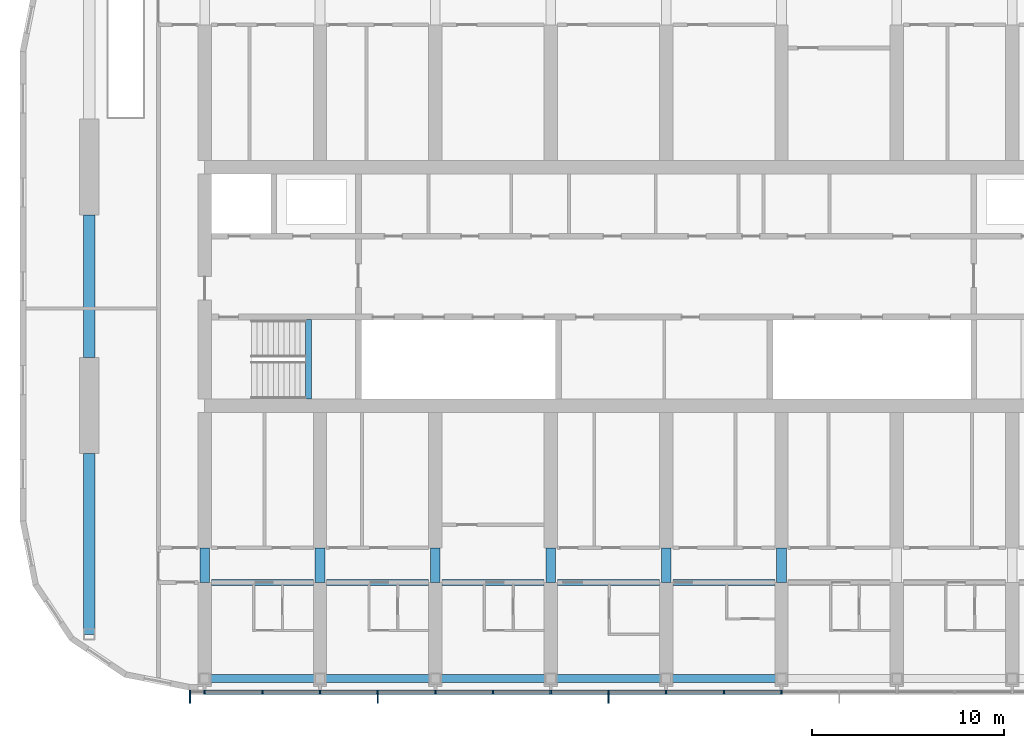
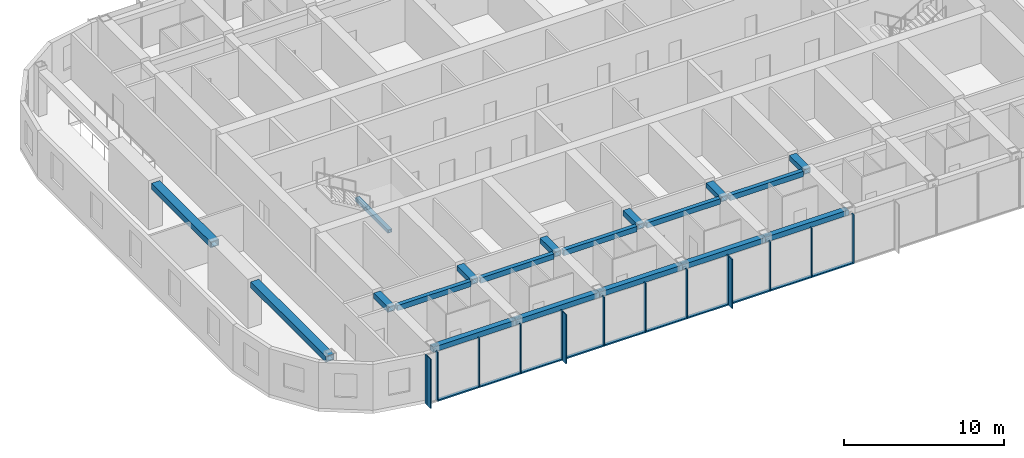
# One storey, part 2 of 23: 25 members, 19 beams, 1 element without a shape of its own.
"""IFC4 building model written with IfcOpenShell, lengths in metres."""

from ifc_helpers import new_model, si_unit, direction, frame, origin, origin_2d, place, context, subcontext, project, spatial, rectangle, hollow_rectangle, extrude, material, material_profile, profile_set, type_object, element, aggregate, save


model = new_model("IFC4")

# Units and contexts
model_context = context("Model", 3, precision=1e-05, world=origin(), true_north=direction((0.0, 1.0)))
body_context = subcontext(model_context, "Body", "Model", "MODEL_VIEW")
ifc_project = project(units=[si_unit("LENGTHUNIT", "METRE"), si_unit("AREAUNIT", "SQUARE_METRE"), si_unit("VOLUMEUNIT", "CUBIC_METRE"), si_unit("PLANEANGLEUNIT", "RADIAN"), si_unit("MASSUNIT", "GRAM", prefix="KILO")], contexts=[model_context])

# Site, building, storey
site_placement = place(None, origin())
site = spatial("IfcSite", under=ifc_project, at=site_placement, CompositionType="ELEMENT")
building_placement = place(site_placement, origin())
building = spatial("IfcBuilding", under=site, at=building_placement, Name="Orbita Commons", CompositionType="ELEMENT")
storey_placement = place(building_placement, frame((0.0, 0.0, 250.300048828125)))
storey = spatial("IfcBuildingStorey", under=building, at=storey_placement, Name="L62", CompositionType="ELEMENT", Elevation=250.300048828125)

# Curtain wall, members
ifc_material_1 = material(Name="Anodised aluminium frame, pale silver", Category="aluminium")
curtain_wall_type = type_object("IfcCurtainWallType", Name="Unitised curtain wall CW-U, full-height vision", PredefinedType="NOTDEFINED", material=ifc_material_1)
curtain_wall_placement = place(storey_placement, origin())
curtain_wall = element("IfcCurtainWall", 1, at=curtain_wall_placement, inside=storey, type_object=curtain_wall_type, Name="Curtain wall south L62", PredefinedType="NOTDEFINED")
ifc_material_2 = material(Name="Anodised aluminium, pale silver", Category="aluminium")
ifc_material_profile_1 = material_profile(ifc_material_2, rectangle(XDim=0.080078125, YDim=0.219970703125, at=origin_2d()), Name="AL 80x220")
ifc_profile_set_1 = profile_set([ifc_material_profile_1], Name="Anodised aluminium, pale silver")
member_type_1 = type_object("IfcMemberType", Name="Curtain wall mullion 80x220", PredefinedType="MULLION", material=ifc_profile_set_1)
member_1_placement = place(storey_placement, frame((17.239990234375, 10.889892578125, -0.25), z_axis=(0.0, 0.0, 1.0), x_axis=(1.0, 0.0, 0.0)))
member_1 = element("IfcMember", 2, at=member_1_placement, type_object=member_type_1, Name="Mullion 1 CW-L62-S", PredefinedType="MULLION", context=body_context, shape_type="SweptSolid", body=[
    extrude(rectangle(XDim=0.080078125, YDim=0.219970703125, at=origin_2d()), origin(), (0.0, 0.0, 1.0), 3.75),
])
member_2_placement = place(storey_placement, frame((18.0, 10.889892578125, -0.25), z_axis=(0.0, 0.0, 1.0), x_axis=(1.0, 0.0, 0.0)))
member_2 = element("IfcMember", 3, at=member_2_placement, type_object=member_type_1, Name="Mullion 2 CW-L62-S", PredefinedType="MULLION", context=body_context, shape_type="SweptSolid", body=[
    extrude(rectangle(XDim=0.080078125, YDim=0.219970703125, at=origin_2d()), origin(), (0.0, 0.0, 1.0), 3.75),
])
member_3_placement = place(storey_placement, frame((21.0, 10.889892578125, -0.25), z_axis=(0.0, 0.0, 1.0), x_axis=(1.0, 0.0, 0.0)))
member_3 = element("IfcMember", 4, at=member_3_placement, type_object=member_type_1, Name="Mullion 3 CW-L62-S", PredefinedType="MULLION", context=body_context, shape_type="SweptSolid", body=[
    extrude(rectangle(XDim=0.080078125, YDim=0.219970703125, at=origin_2d()), origin(), (0.0, 0.0, 1.0), 3.75),
])
member_4_placement = place(storey_placement, frame((24.0, 10.889892578125, -0.25), z_axis=(0.0, 0.0, 1.0), x_axis=(1.0, 0.0, 0.0)))
member_4 = element("IfcMember", 5, at=member_4_placement, type_object=member_type_1, Name="Mullion 4 CW-L62-S", PredefinedType="MULLION", context=body_context, shape_type="SweptSolid", body=[
    extrude(rectangle(XDim=0.080078125, YDim=0.219970703125, at=origin_2d()), origin(), (0.0, 0.0, 1.0), 3.75),
])
member_5_placement = place(storey_placement, frame((27.0, 10.889892578125, -0.25), z_axis=(0.0, 0.0, 1.0), x_axis=(1.0, 0.0, 0.0)))
member_5 = element("IfcMember", 6, at=member_5_placement, type_object=member_type_1, Name="Mullion 5 CW-L62-S", PredefinedType="MULLION", context=body_context, shape_type="SweptSolid", body=[
    extrude(rectangle(XDim=0.080078125, YDim=0.219970703125, at=origin_2d()), origin(), (0.0, 0.0, 1.0), 3.75),
])
member_6_placement = place(storey_placement, frame((30.0, 10.889892578125, -0.25), z_axis=(0.0, 0.0, 1.0), x_axis=(1.0, 0.0, 0.0)))
member_6 = element("IfcMember", 7, at=member_6_placement, type_object=member_type_1, Name="Mullion 6 CW-L62-S", PredefinedType="MULLION", context=body_context, shape_type="SweptSolid", body=[
    extrude(rectangle(XDim=0.080078125, YDim=0.219970703125, at=origin_2d()), origin(), (0.0, 0.0, 1.0), 3.75),
])
member_7_placement = place(storey_placement, frame((33.0, 10.889892578125, -0.25), z_axis=(0.0, 0.0, 1.0), x_axis=(1.0, 0.0, 0.0)))
member_7 = element("IfcMember", 8, at=member_7_placement, type_object=member_type_1, Name="Mullion 7 CW-L62-S", PredefinedType="MULLION", context=body_context, shape_type="SweptSolid", body=[
    extrude(rectangle(XDim=0.080078125, YDim=0.219970703125, at=origin_2d()), origin(), (0.0, 0.0, 1.0), 3.75),
])
member_8_placement = place(storey_placement, frame((36.0, 10.889892578125, -0.25), z_axis=(0.0, 0.0, 1.0), x_axis=(1.0, 0.0, 0.0)))
member_8 = element("IfcMember", 9, at=member_8_placement, type_object=member_type_1, Name="Mullion 8 CW-L62-S", PredefinedType="MULLION", context=body_context, shape_type="SweptSolid", body=[
    extrude(rectangle(XDim=0.080078125, YDim=0.219970703125, at=origin_2d()), origin(), (0.0, 0.0, 1.0), 3.75),
])
member_9_placement = place(storey_placement, frame((39.0, 10.889892578125, -0.25), z_axis=(0.0, 0.0, 1.0), x_axis=(1.0, 0.0, 0.0)))
member_9 = element("IfcMember", 10, at=member_9_placement, type_object=member_type_1, Name="Mullion 9 CW-L62-S", PredefinedType="MULLION", context=body_context, shape_type="SweptSolid", body=[
    extrude(rectangle(XDim=0.080078125, YDim=0.219970703125, at=origin_2d()), origin(), (0.0, 0.0, 1.0), 3.75),
])
member_10_placement = place(storey_placement, frame((42.0, 10.889892578125, -0.25), z_axis=(0.0, 0.0, 1.0), x_axis=(1.0, 0.0, 0.0)))
member_10 = element("IfcMember", 11, at=member_10_placement, type_object=member_type_1, Name="Mullion 10 CW-L62-S", PredefinedType="MULLION", context=body_context, shape_type="SweptSolid", body=[
    extrude(rectangle(XDim=0.080078125, YDim=0.219970703125, at=origin_2d()), origin(), (0.0, 0.0, 1.0), 3.75),
])
member_11_placement = place(storey_placement, frame((45.0, 10.889892578125, -0.25), z_axis=(0.0, 0.0, 1.0), x_axis=(1.0, 0.0, 0.0)))
member_11 = element("IfcMember", 12, at=member_11_placement, type_object=member_type_1, Name="Mullion 11 CW-L62-S", PredefinedType="MULLION", context=body_context, shape_type="SweptSolid", body=[
    extrude(rectangle(XDim=0.080078125, YDim=0.219970703125, at=origin_2d()), origin(), (0.0, 0.0, 1.0), 3.75),
])
member_12_placement = place(storey_placement, frame((48.0, 10.889892578125, -0.25), z_axis=(0.0, 0.0, 1.0), x_axis=(1.0, 0.0, 0.0)))
member_12 = element("IfcMember", 13, at=member_12_placement, type_object=member_type_1, Name="Mullion 12 CW-L62-S", PredefinedType="MULLION", context=body_context, shape_type="SweptSolid", body=[
    extrude(rectangle(XDim=0.080078125, YDim=0.219970703125, at=origin_2d()), origin(), (0.0, 0.0, 1.0), 3.75),
])
ifc_material_3 = material(Name="Anodised aluminium, pale silver", Category="aluminium")
ifc_material_profile_2 = material_profile(ifc_material_3, rectangle(XDim=0.219970703125, YDim=0.10009765625, at=origin_2d()), Name="AL 220x100")
ifc_profile_set_2 = profile_set([ifc_material_profile_2], Name="Anodised aluminium, pale silver")
member_type_2 = type_object("IfcMemberType", Name="Curtain wall stack transom 220x100", PredefinedType="USERDEFINED", material=ifc_profile_set_2)
member_13_placement = place(storey_placement, frame((18.0400390625, 10.889892578125, -0.199951171875), z_axis=(1.0, 0.0, 0.0), x_axis=(0.0, 1.0, 0.0)))
member_13 = element("IfcMember", 14, at=member_13_placement, type_object=member_type_2, Name="Transom 2.1 CW-L62-S", ObjectType="TRANSOM", PredefinedType="USERDEFINED", context=body_context, shape_type="SweptSolid", body=[
    extrude(rectangle(XDim=0.219970703125, YDim=0.10009765625, at=origin_2d()), origin(), (0.0, 0.0, 1.0), 2.919921875),
])
member_14_placement = place(storey_placement, frame((21.0400390625, 10.889892578125, -0.199951171875), z_axis=(1.0, 0.0, 0.0), x_axis=(0.0, 1.0, 0.0)))
member_14 = element("IfcMember", 15, at=member_14_placement, type_object=member_type_2, Name="Transom 3.1 CW-L62-S", ObjectType="TRANSOM", PredefinedType="USERDEFINED", context=body_context, shape_type="SweptSolid", body=[
    extrude(rectangle(XDim=0.219970703125, YDim=0.10009765625, at=origin_2d()), origin(), (0.0, 0.0, 1.0), 2.919921875),
])
member_15_placement = place(storey_placement, frame((24.0400390625, 10.889892578125, -0.199951171875), z_axis=(1.0, 0.0, 0.0), x_axis=(0.0, 1.0, 0.0)))
member_15 = element("IfcMember", 16, at=member_15_placement, type_object=member_type_2, Name="Transom 4.1 CW-L62-S", ObjectType="TRANSOM", PredefinedType="USERDEFINED", context=body_context, shape_type="SweptSolid", body=[
    extrude(rectangle(XDim=0.219970703125, YDim=0.10009765625, at=origin_2d()), origin(), (0.0, 0.0, 1.0), 2.919921875),
])
member_16_placement = place(storey_placement, frame((27.0400390625, 10.889892578125, -0.199951171875), z_axis=(1.0, 0.0, 0.0), x_axis=(0.0, 1.0, 0.0)))
member_16 = element("IfcMember", 17, at=member_16_placement, type_object=member_type_2, Name="Transom 5.1 CW-L62-S", ObjectType="TRANSOM", PredefinedType="USERDEFINED", context=body_context, shape_type="SweptSolid", body=[
    extrude(rectangle(XDim=0.219970703125, YDim=0.10009765625, at=origin_2d()), origin(), (0.0, 0.0, 1.0), 2.919921875),
])
member_17_placement = place(storey_placement, frame((30.0400390625, 10.889892578125, -0.199951171875), z_axis=(1.0, 0.0, 0.0), x_axis=(0.0, 1.0, 0.0)))
member_17 = element("IfcMember", 18, at=member_17_placement, type_object=member_type_2, Name="Transom 6.1 CW-L62-S", ObjectType="TRANSOM", PredefinedType="USERDEFINED", context=body_context, shape_type="SweptSolid", body=[
    extrude(rectangle(XDim=0.219970703125, YDim=0.10009765625, at=origin_2d()), origin(), (0.0, 0.0, 1.0), 2.919921875),
])
member_18_placement = place(storey_placement, frame((33.0400390625, 10.889892578125, -0.199951171875), z_axis=(1.0, 0.0, 0.0), x_axis=(0.0, 1.0, 0.0)))
member_18 = element("IfcMember", 19, at=member_18_placement, type_object=member_type_2, Name="Transom 7.1 CW-L62-S", ObjectType="TRANSOM", PredefinedType="USERDEFINED", context=body_context, shape_type="SweptSolid", body=[
    extrude(rectangle(XDim=0.219970703125, YDim=0.10009765625, at=origin_2d()), origin(), (0.0, 0.0, 1.0), 2.919921875),
])
member_19_placement = place(storey_placement, frame((36.0400390625, 10.889892578125, -0.199951171875), z_axis=(1.0, 0.0, 0.0), x_axis=(0.0, 1.0, 0.0)))
member_19 = element("IfcMember", 20, at=member_19_placement, type_object=member_type_2, Name="Transom 8.1 CW-L62-S", ObjectType="TRANSOM", PredefinedType="USERDEFINED", context=body_context, shape_type="SweptSolid", body=[
    extrude(rectangle(XDim=0.219970703125, YDim=0.10009765625, at=origin_2d()), origin(), (0.0, 0.0, 1.0), 2.919921875),
])
member_20_placement = place(storey_placement, frame((39.0400390625, 10.889892578125, -0.199951171875), z_axis=(1.0, 0.0, 0.0), x_axis=(0.0, 1.0, 0.0)))
member_20 = element("IfcMember", 21, at=member_20_placement, type_object=member_type_2, Name="Transom 9.1 CW-L62-S", ObjectType="TRANSOM", PredefinedType="USERDEFINED", context=body_context, shape_type="SweptSolid", body=[
    extrude(rectangle(XDim=0.219970703125, YDim=0.10009765625, at=origin_2d()), origin(), (0.0, 0.0, 1.0), 2.919921875),
])
member_21_placement = place(storey_placement, frame((42.0400390625, 10.889892578125, -0.199951171875), z_axis=(1.0, 0.0, 0.0), x_axis=(0.0, 1.0, 0.0)))
member_21 = element("IfcMember", 22, at=member_21_placement, type_object=member_type_2, Name="Transom 10.1 CW-L62-S", ObjectType="TRANSOM", PredefinedType="USERDEFINED", context=body_context, shape_type="SweptSolid", body=[
    extrude(rectangle(XDim=0.219970703125, YDim=0.10009765625, at=origin_2d()), origin(), (0.0, 0.0, 1.0), 2.919921875),
])
member_22_placement = place(storey_placement, frame((45.0400390625, 10.889892578125, -0.199951171875), z_axis=(1.0, 0.0, 0.0), x_axis=(0.0, 1.0, 0.0)))
member_22 = element("IfcMember", 23, at=member_22_placement, type_object=member_type_2, Name="Transom 11.1 CW-L62-S", ObjectType="TRANSOM", PredefinedType="USERDEFINED", context=body_context, shape_type="SweptSolid", body=[
    extrude(rectangle(XDim=0.219970703125, YDim=0.10009765625, at=origin_2d()), origin(), (0.0, 0.0, 1.0), 2.919921875),
])

# Beams
ifc_material_4 = material(Name="Steel ASTM A572 Gr 50 welded plate", Category="steel")
ifc_material_profile_3 = material_profile(ifc_material_4, hollow_rectangle(XDim=0.300048828125, YDim=0.25, WallThickness=0.02490234375, at=origin_2d()), Name="BOX 250x300x25")
ifc_profile_set_3 = profile_set([ifc_material_profile_3], Name="Steel ASTM A572 Gr 50 welded plate")
beam_type_1 = type_object("IfcBeamType", Name="Stair landing beam steel BOX 250x300x25", PredefinedType="BEAM", material=ifc_profile_set_3)
beam_1_placement = place(storey_placement, frame((23.39990234375, 26.135009765625, 1.550048828125), z_axis=(0.0, 1.0, 0.0), x_axis=(-1.0, 0.0, 0.0)))
element("IfcBeam", 24, at=beam_1_placement, inside=storey, type_object=beam_type_1, Name="Stair S1 landing beam L62 1", PredefinedType="BEAM", context=body_context, shape_type="SweptSolid", body=[
    extrude(hollow_rectangle(XDim=0.300048828125, YDim=0.25, WallThickness=0.02490234375, at=origin_2d()), origin(), (0.0, 0.0, 1.0), 4.1298828125),
])
ifc_material_5 = material(Name="Steel ASTM A572 Gr 50 welded plate", Category="steel")
ifc_material_profile_4 = material_profile(ifc_material_5, hollow_rectangle(XDim=0.300048828125, YDim=0.39990234375, WallThickness=0.0400390625, at=origin_2d()), Name="BOX 400x300x40")
ifc_profile_set_4 = profile_set([ifc_material_profile_4], Name="Steel ASTM A572 Gr 50 welded plate")
beam_type_2 = type_object("IfcBeamType", Name="Steel corridor link BOX 400x300x40", PredefinedType="BEAM", material=ifc_profile_set_4)
for number, where, z_axis, x_axis, name in (
    (25, (18.35009765625, 16.60009765625, 3.300048828125), (1.0, 0.0, 0.0), (0.0, 1.0, 0.0), "Corridor beam SA 4-5 L62"),
    (26, (24.35009765625, 16.60009765625, 3.300048828125), (1.0, 0.0, 0.0), (0.0, 1.0, 0.0), "Corridor beam SA 5-6 L62"),
    (27, (30.35009765625, 16.60009765625, 3.300048828125), (1.0, 0.0, 0.0), (0.0, 1.0, 0.0), "Corridor beam SA 6-7 L62"),
    (28, (36.35009765625, 16.60009765625, 3.300048828125), (1.0, 0.0, 0.0), (0.0, 1.0, 0.0), "Corridor beam SA 7-8 L62"),
    (29, (42.35009765625, 16.60009765625, 3.300048828125), (1.0, 0.0, 0.0), (0.0, 1.0, 0.0), "Corridor beam SA 8-9 L62"),
):
    element("IfcBeam", number, at=place(storey_placement, frame(where, z_axis=z_axis, x_axis=x_axis)), inside=storey, type_object=beam_type_2, Name=name, PredefinedType="BEAM", context=body_context, shape_type="SweptSolid", body=[
        extrude(hollow_rectangle(XDim=0.300048828125, YDim=0.39990234375, WallThickness=0.0400390625, at=origin_2d()), origin(), (0.0, 0.0, 1.0), 5.2998046875),
    ])
ifc_material_6 = material(Name="Steel ASTM A572 Gr 50 welded plate", Category="steel")
ifc_material_profile_5 = material_profile(ifc_material_6, hollow_rectangle(XDim=0.5, YDim=0.39990234375, WallThickness=0.050048828125, at=origin_2d()), Name="BOX 400x500x50")
ifc_profile_set_5 = profile_set([ifc_material_profile_5], Name="Steel ASTM A572 Gr 50 welded plate")
beam_type_3 = type_object("IfcBeamType", Name="Steel coupling link BOX 400x500x50", PredefinedType="LINTEL", material=ifc_profile_set_5)
for number, where, z_axis, x_axis, name in (
    (30, (18.0, 16.60009765625, 3.300048828125), (0.0, 1.0, 0.0), (-1.0, 0.0, 0.0), "Coupling beam 4 south L62"),
    (31, (24.0, 16.60009765625, 3.300048828125), (0.0, 1.0, 0.0), (-1.0, 0.0, 0.0), "Coupling beam 5 south L62"),
    (32, (30.0, 16.60009765625, 3.300048828125), (0.0, 1.0, 0.0), (-1.0, 0.0, 0.0), "Coupling beam 6 south L62"),
    (33, (36.0, 16.60009765625, 3.300048828125), (0.0, 1.0, 0.0), (-1.0, 0.0, 0.0), "Coupling beam 7 south L62"),
    (34, (42.0, 16.60009765625, 3.300048828125), (0.0, 1.0, 0.0), (-1.0, 0.0, 0.0), "Coupling beam 8 south L62"),
    (35, (48.0, 16.60009765625, 3.300048828125), (0.0, 1.0, 0.0), (-1.0, 0.0, 0.0), "Coupling beam 9 south L62"),
):
    element("IfcBeam", number, at=place(storey_placement, frame(where, z_axis=z_axis, x_axis=x_axis)), inside=storey, type_object=beam_type_3, Name=name, PredefinedType="LINTEL", context=body_context, shape_type="SweptSolid", body=[
        extrude(hollow_rectangle(XDim=0.5, YDim=0.39990234375, WallThickness=0.050048828125, at=origin_2d()), origin(), (0.0, 0.0, 1.0), 1.7998046875),
    ])
ifc_material_7 = material(Name="Steel ASTM A572 Gr 50 welded plate", Category="steel")
ifc_material_profile_6 = material_profile(ifc_material_7, hollow_rectangle(XDim=0.60009765625, YDim=0.449951171875, WallThickness=0.06005859375, at=origin_2d()), Name="BOX 450x600x60")
ifc_profile_set_6 = profile_set([ifc_material_profile_6], Name="Steel ASTM A572 Gr 50 welded plate")
beam_type_4 = type_object("IfcBeamType", Name="Steel end frame link BOX 450x600x60", PredefinedType="BEAM", material=ifc_profile_set_6)
beam_2_placement = place(storey_placement, frame((12.0, 13.89990234375, 3.27490234375), z_axis=(0.0, 1.0, 0.0), x_axis=(-1.0, 0.0, 0.0)))
element("IfcBeam", 36, at=beam_2_placement, inside=storey, type_object=beam_type_4, Name="End frame beam 3 B-C L62", PredefinedType="BEAM", context=body_context, shape_type="SweptSolid", body=[
    extrude(hollow_rectangle(XDim=0.60009765625, YDim=0.449951171875, WallThickness=0.06005859375, at=origin_2d()), origin(), (0.0, 0.0, 1.0), 9.400146484375),
])
beam_3_placement = place(storey_placement, frame((12.0, 28.300048828125, 3.27490234375), z_axis=(0.0, 1.0, 0.0), x_axis=(-1.0, 0.0, 0.0)))
element("IfcBeam", 37, at=beam_3_placement, inside=storey, type_object=beam_type_4, Name="End frame beam 3 C-D L62", PredefinedType="BEAM", context=body_context, shape_type="SweptSolid", body=[
    extrude(hollow_rectangle(XDim=0.60009765625, YDim=0.449951171875, WallThickness=0.06005859375, at=origin_2d()), origin(), (0.0, 0.0, 1.0), 7.39990234375),
])
ifc_material_8 = material(Name="Steel ASTM A572 Gr 50 welded plate", Category="steel")
ifc_material_profile_7 = material_profile(ifc_material_8, hollow_rectangle(XDim=0.39990234375, YDim=0.39990234375, WallThickness=0.0400390625, at=origin_2d()), Name="BOX 400x400x40")
ifc_profile_set_7 = profile_set([ifc_material_profile_7], Name="Steel ASTM A572 Gr 50 welded plate")
beam_type_5 = type_object("IfcBeamType", Name="Steel spandrel BOX 400x400x40", PredefinedType="SPANDREL", material=ifc_profile_set_7)
for number, where, z_axis, x_axis, name in (
    (38, (18.0, 11.60009765625, 3.300048828125), (1.0, 0.0, 0.0), (0.0, 1.0, 0.0), "Spandrel beam B 4-5 L62"),
    (39, (24.0, 11.60009765625, 3.300048828125), (1.0, 0.0, 0.0), (0.0, 1.0, 0.0), "Spandrel beam B 5-6 L62"),
    (40, (30.0, 11.60009765625, 3.300048828125), (1.0, 0.0, 0.0), (0.0, 1.0, 0.0), "Spandrel beam B 6-7 L62"),
    (41, (36.0, 11.60009765625, 3.300048828125), (1.0, 0.0, 0.0), (0.0, 1.0, 0.0), "Spandrel beam B 7-8 L62"),
    (42, (42.0, 11.60009765625, 3.300048828125), (1.0, 0.0, 0.0), (0.0, 1.0, 0.0), "Spandrel beam B 8-9 L62"),
):
    element("IfcBeam", number, at=place(storey_placement, frame(where, z_axis=z_axis, x_axis=x_axis)), inside=storey, type_object=beam_type_5, Name=name, PredefinedType="SPANDREL", context=body_context, shape_type="SweptSolid", body=[
        extrude(hollow_rectangle(XDim=0.39990234375, YDim=0.39990234375, WallThickness=0.0400390625, at=origin_2d()), origin(), (0.0, 0.0, 1.0), 6.0),
    ])

# Member
ifc_material_9 = material(Name="Anodised aluminium, pale silver", Category="aluminium")
ifc_material_profile_8 = material_profile(ifc_material_9, rectangle(XDim=0.06005859375, YDim=0.449951171875, at=origin_2d()), Name="FIN 60x450")
ifc_profile_set_8 = profile_set([ifc_material_profile_8], Name="Anodised aluminium, pale silver")
member_type_3 = type_object("IfcMemberType", Name="Vertical fin 60x450 pale aluminium", PredefinedType="USERDEFINED", material=ifc_profile_set_8)
member_23_placement = place(storey_placement, frame((17.239990234375, 10.554931640625, -0.25), z_axis=(0.0, 0.0, 1.0), x_axis=(1.0, 0.0, 0.0)))
member_23 = element("IfcMember", 43, at=member_23_placement, type_object=member_type_3, Name="Fin 1 CW-L62-S", ObjectType="FIN", PredefinedType="USERDEFINED", context=body_context, shape_type="SweptSolid", body=[
    extrude(rectangle(XDim=0.06005859375, YDim=0.449951171875, at=origin_2d()), origin(), (0.0, 0.0, 1.0), 3.75),
])

member_24_placement = place(storey_placement, frame((27.0, 10.554931640625, -0.25), z_axis=(0.0, 0.0, 1.0), x_axis=(1.0, 0.0, 0.0)))
member_24 = element("IfcMember", 44, at=member_24_placement, type_object=member_type_3, Name="Fin 5 CW-L62-S", ObjectType="FIN", PredefinedType="USERDEFINED", context=body_context, shape_type="SweptSolid", body=[
    extrude(rectangle(XDim=0.06005859375, YDim=0.449951171875, at=origin_2d()), origin(), (0.0, 0.0, 1.0), 3.75),
])

member_25_placement = place(storey_placement, frame((39.0, 10.554931640625, -0.25), z_axis=(0.0, 0.0, 1.0), x_axis=(1.0, 0.0, 0.0)))
member_25 = element("IfcMember", 45, at=member_25_placement, type_object=member_type_3, Name="Fin 9 CW-L62-S", ObjectType="FIN", PredefinedType="USERDEFINED", context=body_context, shape_type="SweptSolid", body=[
    extrude(rectangle(XDim=0.06005859375, YDim=0.449951171875, at=origin_2d()), origin(), (0.0, 0.0, 1.0), 3.75),
])

aggregate(curtain_wall, [member_1, member_23, member_2, member_3, member_4, member_5, member_24, member_6, member_7, member_8, member_9, member_25, member_10, member_11, member_12, member_13, member_14, member_15, member_16, member_17, member_18, member_19, member_20, member_21, member_22])

save(model, "model.ifc")
